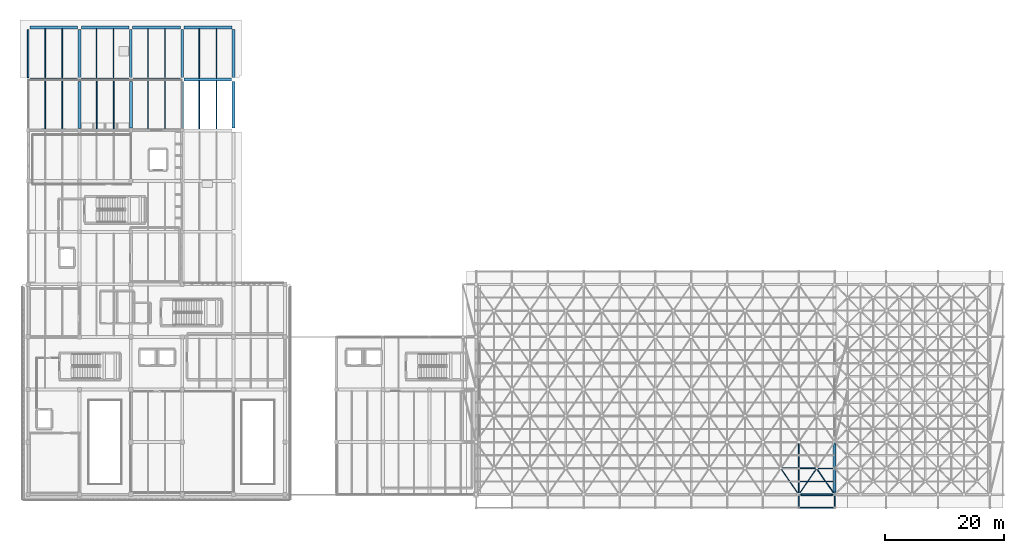
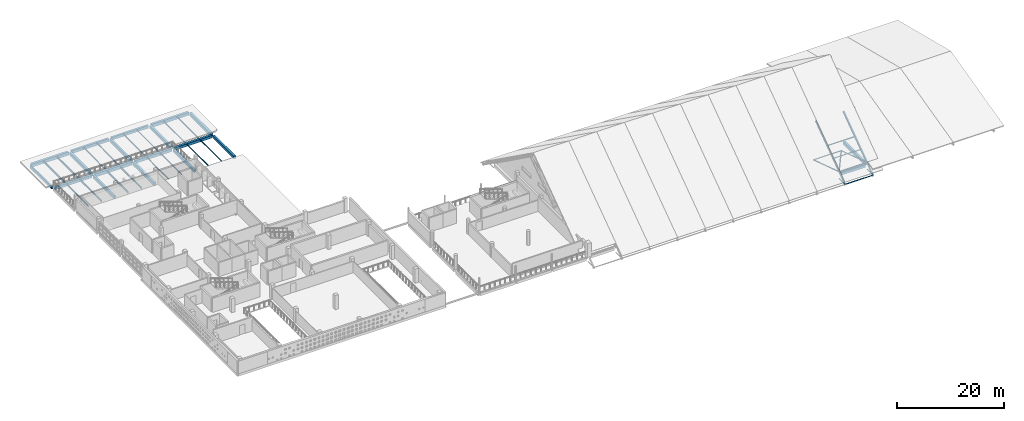
# One storey, part 24 of 55: 35 beams, 14 members.
"""IFC4 building model written with IfcOpenShell, lengths in metres."""

from ifc_helpers import new_model, si_unit, direction, frame, origin, origin_2d, place, context, subcontext, project, spatial, rectangle, hollow_rectangle, hollow_circle, i_section, extrude, material, material_profile, profile_set, type_object, element, save


model = new_model("IFC4")

# Units and contexts
model_context = context("Model", 3, precision=1e-05, world=origin(), true_north=direction((0.0, 1.0)))
body_context = subcontext(model_context, "Body", "Model", "MODEL_VIEW")
ifc_project = project(units=[si_unit("LENGTHUNIT", "METRE"), si_unit("AREAUNIT", "SQUARE_METRE"), si_unit("VOLUMEUNIT", "CUBIC_METRE"), si_unit("PLANEANGLEUNIT", "RADIAN"), si_unit("MASSUNIT", "GRAM", prefix="KILO")], contexts=[model_context])

# Site, building, storey
site_placement = place(None, origin())
site = spatial("IfcSite", under=ifc_project, at=site_placement, CompositionType="ELEMENT")
building_placement = place(site_placement, origin())
building = spatial("IfcBuilding", under=site, at=building_placement, Name="Varnakota Cinema and Media Centre", CompositionType="ELEMENT")
storey_placement = place(building_placement, frame((0.0, 0.0, 15.60009765625)))
storey = spatial("IfcBuildingStorey", under=building, at=storey_placement, Name="L04", CompositionType="ELEMENT", Elevation=15.60009765625)

# Beams
ifc_material_1 = material(Name="Concrete M35", Category="concrete")
ifc_material_profile_1 = material_profile(ifc_material_1, rectangle(XDim=0.449951171875, YDim=0.60009765625, at=origin_2d()), Name="RCB 450x600")
ifc_profile_set_1 = profile_set([ifc_material_profile_1], Name="Concrete M35")
beam_type_1 = type_object("IfcBeamType", Name="BM-RC-450x600", PredefinedType="BEAM", material=ifc_profile_set_1)
beam_1_placement = place(storey_placement, frame((0.324951171875, 69.5, -0.550048828125), z_axis=(1.0, 0.0, 0.0), x_axis=(0.0, 1.0, 0.0)))
element("IfcBeam", 1, at=beam_1_placement, inside=storey, type_object=beam_type_1, Name="L04 girder A-B/9", PredefinedType="BEAM", context=body_context, shape_type="SweptSolid", body=[
    extrude(rectangle(XDim=0.449951171875, YDim=0.60009765625, at=origin_2d()), origin(), (0.0, 0.0, 1.0), 7.97509765625),
])
beam_2_placement = place(storey_placement, frame((26.10009765625, 69.5, -0.550048828125), z_axis=(1.0, 0.0, 0.0), x_axis=(0.0, 1.0, 0.0)))
element("IfcBeam", 2, at=beam_2_placement, inside=storey, type_object=beam_type_1, Name="L04 girder D-E/9", PredefinedType="BEAM", context=body_context, shape_type="SweptSolid", body=[
    extrude(rectangle(XDim=0.449951171875, YDim=0.60009765625, at=origin_2d()), origin(), (0.0, 0.0, 1.0), 7.974853515625),
])
beam_3_placement = place(storey_placement, frame((17.5, 78.199951171875, -0.550048828125), z_axis=(1.0, 0.0, 0.0), x_axis=(0.0, 1.0, 0.0)))
element("IfcBeam", 3, at=beam_3_placement, inside=storey, type_object=beam_type_1, Name="L04 girder C-D/10", PredefinedType="BEAM", context=body_context, shape_type="SweptSolid", body=[
    extrude(rectangle(XDim=0.449951171875, YDim=0.60009765625, at=origin_2d()), origin(), (0.0, 0.0, 1.0), 7.97509765625),
])
beam_4_placement = place(storey_placement, frame((8.60009765625, 61.324951171875, -0.550048828125), z_axis=(0.0, 1.0, 0.0), x_axis=(-1.0, 0.0, 0.0)))
element("IfcBeam", 4, at=beam_4_placement, inside=storey, type_object=beam_type_1, Name="L04 girder B/8-9", PredefinedType="BEAM", context=body_context, shape_type="SweptSolid", body=[
    extrude(rectangle(XDim=0.449951171875, YDim=0.60009765625, at=origin_2d()), origin(), (0.0, 0.0, 1.0), 7.824951171875),
])
beam_5_placement = place(storey_placement, frame((25.800048828125, 69.85009765625, -0.550048828125), z_axis=(0.0, 1.0, 0.0), x_axis=(-1.0, 0.0, 0.0)))
element("IfcBeam", 5, at=beam_5_placement, inside=storey, type_object=beam_type_1, Name="L04 girder D/9-10", PredefinedType="BEAM", context=body_context, shape_type="SweptSolid", body=[
    extrude(rectangle(XDim=0.449951171875, YDim=0.60009765625, at=origin_2d()), origin(), (0.0, 0.0, 1.0), 8.02490234375),
])
beam_6_placement = place(storey_placement, frame((34.39990234375, 61.35009765625, -0.550048828125), z_axis=(0.0, 1.0, 0.0), x_axis=(-1.0, 0.0, 0.0)))
element("IfcBeam", 6, at=beam_6_placement, inside=storey, type_object=beam_type_1, Name="L04 girder E/8-9", PredefinedType="BEAM", context=body_context, shape_type="SweptSolid", body=[
    extrude(rectangle(XDim=0.449951171875, YDim=0.60009765625, at=origin_2d()), origin(), (0.0, 0.0, 1.0), 7.824951171875),
])
ifc_material_2 = material(Name="Concrete M35", Category="concrete")
ifc_material_profile_2 = material_profile(ifc_material_2, rectangle(XDim=0.449951171875, YDim=0.64990234375, at=origin_2d()), Name="RCB 450x650")
ifc_profile_set_2 = profile_set([ifc_material_profile_2], Name="Concrete M35")
beam_type_2 = type_object("IfcBeamType", Name="BM-RC-450x650", PredefinedType="BEAM", material=ifc_profile_set_2)
beam_7_placement = place(storey_placement, frame((17.52490234375, 69.5, -0.5751953125), z_axis=(1.0, 0.0, 0.0), x_axis=(0.0, 1.0, 0.0)))
element("IfcBeam", 7, at=beam_7_placement, inside=storey, type_object=beam_type_2, Name="L04 girder C-D/9", PredefinedType="BEAM", context=body_context, shape_type="SweptSolid", body=[
    extrude(rectangle(XDim=0.449951171875, YDim=0.64990234375, at=origin_2d()), origin(), (0.0, 0.0, 1.0), 7.97509765625),
])
beam_8_placement = place(storey_placement, frame((8.925048828125, 78.199951171875, -0.5751953125), z_axis=(1.0, 0.0, 0.0), x_axis=(0.0, 1.0, 0.0)))
element("IfcBeam", 8, at=beam_8_placement, inside=storey, type_object=beam_type_2, Name="L04 girder B-C/10", PredefinedType="BEAM", context=body_context, shape_type="SweptSolid", body=[
    extrude(rectangle(XDim=0.449951171875, YDim=0.64990234375, at=origin_2d()), origin(), (0.0, 0.0, 1.0), 7.974853515625),
])
beam_9_placement = place(storey_placement, frame((17.199951171875, 69.824951171875, -0.5751953125), z_axis=(0.0, 1.0, 0.0), x_axis=(-1.0, 0.0, 0.0)))
element("IfcBeam", 9, at=beam_9_placement, inside=storey, type_object=beam_type_2, Name="L04 girder C/9-10", PredefinedType="BEAM", context=body_context, shape_type="SweptSolid", body=[
    extrude(rectangle(XDim=0.449951171875, YDim=0.64990234375, at=origin_2d()), origin(), (0.0, 0.0, 1.0), 8.025146484375),
])
beam_10_placement = place(storey_placement, frame((25.800048828125, 61.324951171875, -0.5751953125), z_axis=(0.0, 1.0, 0.0), x_axis=(-1.0, 0.0, 0.0)))
element("IfcBeam", 10, at=beam_10_placement, inside=storey, type_object=beam_type_2, Name="L04 girder D/8-9", PredefinedType="BEAM", context=body_context, shape_type="SweptSolid", body=[
    extrude(rectangle(XDim=0.449951171875, YDim=0.64990234375, at=origin_2d()), origin(), (0.0, 0.0, 1.0), 7.824951171875),
])
beam_11_placement = place(storey_placement, frame((135.0, 0.47509765625, -0.3251953125), z_axis=(0.0, 1.0, 0.0), x_axis=(-1.0, 0.0, 0.0)))
element("IfcBeam", 11, at=beam_11_placement, inside=storey, type_object=beam_type_2, Name="L04 girder V/1-2", PredefinedType="BEAM", context=body_context, shape_type="SweptSolid", body=[
    extrude(rectangle(XDim=0.449951171875, YDim=0.64990234375, at=origin_2d()), origin(), (0.0, 0.0, 1.0), 8.0),
])
ifc_material_3 = material(Name="Concrete M35", Category="concrete")
ifc_material_profile_3 = material_profile(ifc_material_3, rectangle(XDim=0.5, YDim=0.699951171875, at=origin_2d()), Name="RCB 500x700")
ifc_profile_set_3 = profile_set([ifc_material_profile_3], Name="Concrete M35")
beam_type_3 = type_object("IfcBeamType", Name="BM-RC-500x700", PredefinedType="BEAM", material=ifc_profile_set_3)
beam_12_placement = place(storey_placement, frame((8.89990234375, 69.5, -0.60009765625), z_axis=(1.0, 0.0, 0.0), x_axis=(0.0, 1.0, 0.0)))
element("IfcBeam", 12, at=beam_12_placement, inside=storey, type_object=beam_type_3, Name="L04 girder B-C/9", PredefinedType="BEAM", context=body_context, shape_type="SweptSolid", body=[
    extrude(rectangle(XDim=0.5, YDim=0.699951171875, at=origin_2d()), origin(), (0.0, 0.0, 1.0), 7.97509765625),
])
beam_13_placement = place(storey_placement, frame((0.300048828125, 78.199951171875, -0.60009765625), z_axis=(1.0, 0.0, 0.0), x_axis=(0.0, 1.0, 0.0)))
element("IfcBeam", 13, at=beam_13_placement, inside=storey, type_object=beam_type_3, Name="L04 girder A-B/10", PredefinedType="BEAM", context=body_context, shape_type="SweptSolid", body=[
    extrude(rectangle(XDim=0.5, YDim=0.699951171875, at=origin_2d()), origin(), (0.0, 0.0, 1.0), 7.974853515625),
])
beam_14_placement = place(storey_placement, frame((26.125, 78.199951171875, -0.60009765625), z_axis=(1.0, 0.0, 0.0), x_axis=(0.0, 1.0, 0.0)))
element("IfcBeam", 14, at=beam_14_placement, inside=storey, type_object=beam_type_3, Name="L04 girder D-E/10", PredefinedType="BEAM", context=body_context, shape_type="SweptSolid", body=[
    extrude(rectangle(XDim=0.5, YDim=0.699951171875, at=origin_2d()), origin(), (0.0, 0.0, 1.0), 7.97509765625),
])
beam_15_placement = place(storey_placement, frame((8.60009765625, 69.85009765625, -0.60009765625), z_axis=(0.0, 1.0, 0.0), x_axis=(-1.0, 0.0, 0.0)))
element("IfcBeam", 15, at=beam_15_placement, inside=storey, type_object=beam_type_3, Name="L04 girder B/9-10", PredefinedType="BEAM", context=body_context, shape_type="SweptSolid", body=[
    extrude(rectangle(XDim=0.5, YDim=0.699951171875, at=origin_2d()), origin(), (0.0, 0.0, 1.0), 8.02490234375),
])
beam_16_placement = place(storey_placement, frame((17.199951171875, 61.35009765625, -0.60009765625), z_axis=(0.0, 1.0, 0.0), x_axis=(-1.0, 0.0, 0.0)))
element("IfcBeam", 16, at=beam_16_placement, inside=storey, type_object=beam_type_3, Name="L04 girder C/8-9", PredefinedType="BEAM", context=body_context, shape_type="SweptSolid", body=[
    extrude(rectangle(XDim=0.5, YDim=0.699951171875, at=origin_2d()), origin(), (0.0, 0.0, 1.0), 7.824951171875),
])
beam_17_placement = place(storey_placement, frame((34.39990234375, 69.824951171875, -0.60009765625), z_axis=(0.0, 1.0, 0.0), x_axis=(-1.0, 0.0, 0.0)))
element("IfcBeam", 17, at=beam_17_placement, inside=storey, type_object=beam_type_3, Name="L04 girder E/9-10", PredefinedType="BEAM", context=body_context, shape_type="SweptSolid", body=[
    extrude(rectangle(XDim=0.5, YDim=0.699951171875, at=origin_2d()), origin(), (0.0, 0.0, 1.0), 8.025146484375),
])
ifc_material_4 = material(Name="Concrete M35", Category="concrete")
ifc_material_profile_4 = material_profile(ifc_material_4, rectangle(XDim=0.300048828125, YDim=0.60009765625, at=origin_2d()), Name="RCB 300x600")
ifc_profile_set_4 = profile_set([ifc_material_profile_4], Name="Concrete M35")
beam_type_4 = type_object("IfcBeamType", Name="BM-SP-300x600", PredefinedType="SPANDREL", material=ifc_profile_set_4)
beam_18_placement = place(storey_placement, frame((129.425048828125, 0.0, -0.300048828125), z_axis=(1.0, 0.0, 0.0), x_axis=(0.0, 1.0, 0.0)))
element("IfcBeam", 18, at=beam_18_placement, inside=storey, type_object=beam_type_4, Name="L04 girder U-V/1", PredefinedType="SPANDREL", context=body_context, shape_type="SweptSolid", body=[
    extrude(rectangle(XDim=0.300048828125, YDim=0.60009765625, at=origin_2d()), origin(), (0.0, 0.0, 1.0), 5.14990234375),
])
beam_19_placement = place(storey_placement, frame((0.0, 69.824951171875, -0.550048828125), z_axis=(0.0, 1.0, 0.0), x_axis=(-1.0, 0.0, 0.0)))
element("IfcBeam", 19, at=beam_19_placement, inside=storey, type_object=beam_type_4, Name="L04 girder A/9-10", PredefinedType="SPANDREL", context=body_context, shape_type="SweptSolid", body=[
    extrude(rectangle(XDim=0.300048828125, YDim=0.60009765625, at=origin_2d()), origin(), (0.0, 0.0, 1.0), 8.025146484375),
])
ifc_material_5 = material(Name="Structural steel Grade 350 (E350)", Category="steel")
ifc_material_profile_5 = material_profile(ifc_material_5, i_section(OverallWidth=0.10009765625, OverallDepth=0.199951171875, WebThickness=0.005615234375, FlangeThickness=0.0107421875, FilletRadius=0.010986328125, at=origin_2d()), Name="ISMB 200")
ifc_profile_set_5 = profile_set([ifc_material_profile_5], Name="Structural steel Grade 350 (E350)")
beam_type_5 = type_object("IfcBeamType", Name="BM-ST-ISMB200", PredefinedType="JOIST", material=ifc_profile_set_5)
for number, where, z_axis, x_axis, name in (
    (20, (11.466796875, 69.75, -0.35009765625), (0.0, 1.0, 0.0), (-1.0, 0.0, 0.0), "L04 steel joist B-C/9-10 #1"),
    (21, (14.333251953125, 69.75, -0.35009765625), (0.0, 1.0, 0.0), (-1.0, 0.0, 0.0), "L04 steel joist B-C/9-10 #2"),
):
    element("IfcBeam", number, at=place(storey_placement, frame(where, z_axis=z_axis, x_axis=x_axis)), inside=storey, type_object=beam_type_5, Name=name, PredefinedType="JOIST", context=body_context, shape_type="SweptSolid", body=[
        extrude(i_section(OverallWidth=0.10009765625, OverallDepth=0.199951171875, WebThickness=0.005615234375, FlangeThickness=0.0107421875, FilletRadius=0.010986328125, at=origin_2d()), origin(), (0.0, 0.0, 1.0), 8.22509765625),
    ])
for number, where, z_axis, x_axis, name in (
    (22, (20.066650390625, 61.25, -0.35009765625), (0.0, 1.0, 0.0), (-1.0, 0.0, 0.0), "L04 steel joist C-D/8-9 #1"),
    (23, (22.933349609375, 61.25, -0.35009765625), (0.0, 1.0, 0.0), (-1.0, 0.0, 0.0), "L04 steel joist C-D/8-9 #2"),
):
    element("IfcBeam", number, at=place(storey_placement, frame(where, z_axis=z_axis, x_axis=x_axis)), inside=storey, type_object=beam_type_5, Name=name, PredefinedType="JOIST", context=body_context, shape_type="SweptSolid", body=[
        extrude(i_section(OverallWidth=0.10009765625, OverallDepth=0.199951171875, WebThickness=0.005615234375, FlangeThickness=0.0107421875, FilletRadius=0.010986328125, at=origin_2d()), origin(), (0.0, 0.0, 1.0), 8.02490234375),
    ])
ifc_material_6 = material(Name="Structural steel Grade 350 (E350)", Category="steel")
ifc_material_profile_6 = material_profile(ifc_material_6, i_section(OverallWidth=0.110107421875, OverallDepth=0.22509765625, WebThickness=0.006591796875, FlangeThickness=0.01171875, FilletRadius=0.011962890625, at=origin_2d()), Name="ISMB 225")
ifc_profile_set_6 = profile_set([ifc_material_profile_6], Name="Structural steel Grade 350 (E350)")
beam_type_6 = type_object("IfcBeamType", Name="BM-ST-ISMB225", PredefinedType="JOIST", material=ifc_profile_set_6)
for number, where, z_axis, x_axis, name in (
    (24, (20.066650390625, 69.72509765625, -0.362548828125), (0.0, 1.0, 0.0), (-1.0, 0.0, 0.0), "L04 steel joist C-D/9-10 #1"),
    (25, (22.933349609375, 69.72509765625, -0.362548828125), (0.0, 1.0, 0.0), (-1.0, 0.0, 0.0), "L04 steel joist C-D/9-10 #2"),
):
    element("IfcBeam", number, at=place(storey_placement, frame(where, z_axis=z_axis, x_axis=x_axis)), inside=storey, type_object=beam_type_6, Name=name, PredefinedType="JOIST", context=body_context, shape_type="SweptSolid", body=[
        extrude(i_section(OverallWidth=0.110107421875, OverallDepth=0.22509765625, WebThickness=0.006591796875, FlangeThickness=0.01171875, FilletRadius=0.011962890625, at=origin_2d()), origin(), (0.0, 0.0, 1.0), 8.25),
    ])
for number, where, z_axis, x_axis, name in (
    (26, (28.666748046875, 61.22509765625, -0.362548828125), (0.0, 1.0, 0.0), (-1.0, 0.0, 0.0), "L04 steel joist D-E/8-9 #1"),
    (27, (31.533203125, 61.22509765625, -0.362548828125), (0.0, 1.0, 0.0), (-1.0, 0.0, 0.0), "L04 steel joist D-E/8-9 #2"),
):
    element("IfcBeam", number, at=place(storey_placement, frame(where, z_axis=z_axis, x_axis=x_axis)), inside=storey, type_object=beam_type_6, Name=name, PredefinedType="JOIST", context=body_context, shape_type="SweptSolid", body=[
        extrude(i_section(OverallWidth=0.110107421875, OverallDepth=0.22509765625, WebThickness=0.006591796875, FlangeThickness=0.01171875, FilletRadius=0.011962890625, at=origin_2d()), origin(), (0.0, 0.0, 1.0), 8.0498046875),
    ])
ifc_material_7 = material(Name="Structural steel Grade 350 (E350)", Category="steel")
ifc_material_profile_7 = material_profile(ifc_material_7, i_section(OverallWidth=0.125, OverallDepth=0.25, WebThickness=0.0068359375, FlangeThickness=0.012451171875, FilletRadius=0.012939453125, at=origin_2d()), Name="ISMB 250")
ifc_profile_set_7 = profile_set([ifc_material_profile_7], Name="Structural steel Grade 350 (E350)")
beam_type_7 = type_object("IfcBeamType", Name="BM-ST-ISMB250", PredefinedType="JOIST", material=ifc_profile_set_7)
for number, where, z_axis, x_axis, name in (
    (28, (28.666748046875, 69.72509765625, -0.375), (0.0, 1.0, 0.0), (-1.0, 0.0, 0.0), "L04 steel joist D-E/9-10 #1"),
    (29, (31.533203125, 69.72509765625, -0.375), (0.0, 1.0, 0.0), (-1.0, 0.0, 0.0), "L04 steel joist D-E/9-10 #2"),
):
    element("IfcBeam", number, at=place(storey_placement, frame(where, z_axis=z_axis, x_axis=x_axis)), inside=storey, type_object=beam_type_7, Name=name, PredefinedType="JOIST", context=body_context, shape_type="SweptSolid", body=[
        extrude(i_section(OverallWidth=0.125, OverallDepth=0.25, WebThickness=0.0068359375, FlangeThickness=0.012451171875, FilletRadius=0.012939453125, at=origin_2d()), origin(), (0.0, 0.0, 1.0), 8.224853515625),
    ])
ifc_material_8 = material(Name="Structural steel Grade 350 (E350)", Category="steel")
ifc_material_profile_8 = material_profile(ifc_material_8, i_section(OverallWidth=0.139892578125, OverallDepth=0.39990234375, WebThickness=0.0087890625, FlangeThickness=0.01611328125, FilletRadius=0.013916015625, at=origin_2d()), Name="ISMB 400")
ifc_profile_set_8 = profile_set([ifc_material_profile_8], Name="Structural steel Grade 350 (E350)")
beam_type_8 = type_object("IfcBeamType", Name="BM-ST-ISMB400", PredefinedType="JOIST", material=ifc_profile_set_8)
for number, where, z_axis, x_axis, name in (
    (30, (2.86669921875, 61.22509765625, -0.4501953125), (0.0, 1.0, 0.0), (-1.0, 0.0, 0.0), "L04 steel joist A-B/8-9 #1"),
    (31, (5.7333984375, 61.22509765625, -0.4501953125), (0.0, 1.0, 0.0), (-1.0, 0.0, 0.0), "L04 steel joist A-B/8-9 #2"),
):
    element("IfcBeam", number, at=place(storey_placement, frame(where, z_axis=z_axis, x_axis=x_axis)), inside=storey, type_object=beam_type_8, Name=name, PredefinedType="JOIST", context=body_context, shape_type="SweptSolid", body=[
        extrude(i_section(OverallWidth=0.139892578125, OverallDepth=0.39990234375, WebThickness=0.0087890625, FlangeThickness=0.01611328125, FilletRadius=0.013916015625, at=origin_2d()), origin(), (0.0, 0.0, 1.0), 8.0498046875),
    ])
ifc_material_9 = material(Name="Structural steel Grade 350 (E350)", Category="steel")
ifc_material_profile_9 = material_profile(ifc_material_9, i_section(OverallWidth=0.14990234375, OverallDepth=0.449951171875, WebThickness=0.009521484375, FlangeThickness=0.017333984375, FilletRadius=0.014892578125, at=origin_2d()), Name="ISMB 450")
ifc_profile_set_9 = profile_set([ifc_material_profile_9], Name="Structural steel Grade 350 (E350)")
beam_type_9 = type_object("IfcBeamType", Name="BM-ST-ISMB450", PredefinedType="BEAM", material=ifc_profile_set_9)
for number, where, z_axis, x_axis, name in (
    (32, (2.86669921875, 69.72509765625, -0.47509765625), (0.0, 1.0, 0.0), (-1.0, 0.0, 0.0), "L04 steel joist A-B/9-10 #1"),
    (33, (5.7333984375, 69.72509765625, -0.47509765625), (0.0, 1.0, 0.0), (-1.0, 0.0, 0.0), "L04 steel joist A-B/9-10 #2"),
):
    element("IfcBeam", number, at=place(storey_placement, frame(where, z_axis=z_axis, x_axis=x_axis)), inside=storey, type_object=beam_type_9, Name=name, PredefinedType="BEAM", context=body_context, shape_type="SweptSolid", body=[
        extrude(i_section(OverallWidth=0.14990234375, OverallDepth=0.449951171875, WebThickness=0.009521484375, FlangeThickness=0.017333984375, FilletRadius=0.014892578125, at=origin_2d()), origin(), (0.0, 0.0, 1.0), 8.224853515625),
    ])
for number, where, z_axis, x_axis, name in (
    (34, (11.466796875, 61.22509765625, -0.47509765625), (0.0, 1.0, 0.0), (-1.0, 0.0, 0.0), "L04 steel joist B-C/8-9 #1"),
    (35, (14.333251953125, 61.22509765625, -0.47509765625), (0.0, 1.0, 0.0), (-1.0, 0.0, 0.0), "L04 steel joist B-C/8-9 #2"),
):
    element("IfcBeam", number, at=place(storey_placement, frame(where, z_axis=z_axis, x_axis=x_axis)), inside=storey, type_object=beam_type_9, Name=name, PredefinedType="BEAM", context=body_context, shape_type="SweptSolid", body=[
        extrude(i_section(OverallWidth=0.14990234375, OverallDepth=0.449951171875, WebThickness=0.009521484375, FlangeThickness=0.017333984375, FilletRadius=0.014892578125, at=origin_2d()), origin(), (0.0, 0.0, 1.0), 8.02490234375),
    ])

# Members
ifc_material_10 = material(Name="Structural steel S355 (YSt 355)", Category="steel")
ifc_material_profile_10 = material_profile(ifc_material_10, hollow_circle(Radius=0.06982421875, WallThickness=0.006103515625, at=origin_2d()), Name="CHS 139.7x6.0")
ifc_profile_set_10 = profile_set([ifc_material_profile_10], Name="Structural steel S355 (YSt 355)")
member_type_1 = type_object("IfcMemberType", Name="MEM-ST-CHS139_7x6_0", PredefinedType="CHORD", material=ifc_profile_set_10)
member_1_placement = place(storey_placement, frame((132.0, 4.39990234375, 1.349853515625), z_axis=(0.552703271274, -0.810613472892, -0.193455140767), x_axis=(0.826221523208, 0.563345359959, 0.0)))
element("IfcMember", 36, at=member_1_placement, inside=storey, type_object=member_type_1, Name="V1 space-frame diagonal 10.1.2", PredefinedType="CHORD", context=body_context, shape_type="SweptSolid", body=[
    extrude(hollow_circle(Radius=0.06982421875, WallThickness=0.006103515625, at=origin_2d()), origin(), (0.0, 0.0, 1.0), 5.427978515625),
])
ifc_material_11 = material(Name="Structural steel S355 (YSt 355)", Category="steel")
ifc_material_profile_11 = material_profile(ifc_material_11, hollow_circle(Radius=0.084228515625, WallThickness=0.00634765625, at=origin_2d()), Name="CHS 168.3x6.3")
ifc_profile_set_11 = profile_set([ifc_material_profile_11], Name="Structural steel S355 (YSt 355)")
member_type_2 = type_object("IfcMemberType", Name="MEM-ST-CHS168_3x6_3", PredefinedType="BRACE", material=ifc_profile_set_11)
for number, where, z_axis, x_axis, name in (
    (37, (126.0, 4.39990234375, 1.349853515625), (0.552703271274, -0.810613472892, -0.193455140767), (0.826221523208, 0.563345359959, 0.0), "V1 space-frame diagonal 9.1.2"),
    (38, (132.0, 4.39990234375, 1.349853515625), (-0.552703271274, -0.810613472892, -0.193455140767), (0.826221523208, -0.563345359959, 0.0), "V1 space-frame diagonal 10.1.1"),
):
    element("IfcMember", number, at=place(storey_placement, frame(where, z_axis=z_axis, x_axis=x_axis)), inside=storey, type_object=member_type_2, Name=name, PredefinedType="BRACE", context=body_context, shape_type="SweptSolid", body=[
        extrude(hollow_circle(Radius=0.084228515625, WallThickness=0.00634765625, at=origin_2d()), origin(), (0.0, 0.0, 1.0), 5.427978515625),
    ])
ifc_material_12 = material(Name="Structural steel S355 (YSt 355)", Category="steel")
ifc_material_profile_12 = material_profile(ifc_material_12, hollow_circle(Radius=0.096923828125, WallThickness=0.00634765625, at=origin_2d()), Name="CHS 193.7x6.3")
ifc_profile_set_12 = profile_set([ifc_material_profile_12], Name="Structural steel S355 (YSt 355)")
member_type_3 = type_object("IfcMemberType", Name="MEM-ST-CHS193_7x6_3", PredefinedType="CHORD", material=ifc_profile_set_12)
for number, where, z_axis, x_axis, name in (
    (39, (129.0, 0.0, -1.25), (0.0, -0.999934678535, -0.01142972721), (1.0, 0.0, 0.0), "V1 space-frame S eave raking strut 10"),
    (40, (135.0, 0.0, -1.25), (0.0, -0.999934678535, -0.01142972721), (1.0, 0.0, 0.0), "V1 space-frame S eave raking strut 11"),
):
    element("IfcMember", number, at=place(storey_placement, frame(where, z_axis=z_axis, x_axis=x_axis)), inside=storey, type_object=member_type_3, Name=name, PredefinedType="CHORD", context=body_context, shape_type="SweptSolid", body=[
        extrude(hollow_circle(Radius=0.096923828125, WallThickness=0.00634765625, at=origin_2d()), origin(), (0.0, 0.0, 1.0), 2.2001953125),
    ])
ifc_material_13 = material(Name="Structural steel S355 (YSt 355)", Category="steel")
ifc_material_profile_13 = material_profile(ifc_material_13, hollow_circle(Radius=0.109619140625, WallThickness=0.008056640625, at=origin_2d()), Name="CHS 219.1x8.0")
ifc_profile_set_13 = profile_set([ifc_material_profile_13], Name="Structural steel S355 (YSt 355)")
member_type_4 = type_object("IfcMemberType", Name="MEM-ST-CHS219_1x8_0", PredefinedType="BRACE", material=ifc_profile_set_13)
for number, where, z_axis, x_axis, name in (
    (41, (126.0, 4.39990234375, 1.349853515625), (1.0, 0.0, 0.0), (0.0, 1.0, 0.0), "V1 bottom longitudinal chord 9.1"),
    (42, (129.0, -2.199951171875, -1.275146484375), (1.0, 0.0, 0.0), (0.0, 1.0, 0.0), "V1 S eave fascia chord 10"),
):
    element("IfcMember", number, at=place(storey_placement, frame(where, z_axis=z_axis, x_axis=x_axis)), inside=storey, type_object=member_type_4, Name=name, PredefinedType="BRACE", context=body_context, shape_type="SweptSolid", body=[
        extrude(hollow_circle(Radius=0.109619140625, WallThickness=0.008056640625, at=origin_2d()), origin(), (0.0, 0.0, 1.0), 6.0),
    ])
ifc_material_14 = material(Name="Structural steel S355 (YSt 355)", Category="steel")
ifc_material_profile_14 = material_profile(ifc_material_14, hollow_circle(Radius=0.136474609375, WallThickness=0.010009765625, at=origin_2d()), Name="CHS 273.0x10.0")
ifc_profile_set_14 = profile_set([ifc_material_profile_14], Name="Structural steel S355 (YSt 355)")
member_type_5 = type_object("IfcMemberType", Name="MEM-ST-CHS273_0x10_0", PredefinedType="BRACE", material=ifc_profile_set_14)
member_2_placement = place(storey_placement, frame((129.0, 0.0, 0.2998046875), z_axis=(1.0, 0.0, 0.0), x_axis=(0.0, 1.0, 0.0)))
element("IfcMember", 43, at=member_2_placement, inside=storey, type_object=member_type_5, Name="V1 top longitudinal chord 10.1", PredefinedType="BRACE", context=body_context, shape_type="SweptSolid", body=[
    extrude(hollow_circle(Radius=0.136474609375, WallThickness=0.010009765625, at=origin_2d()), origin(), (0.0, 0.0, 1.0), 6.0),
])
ifc_material_15 = material(Name="Structural steel Grade 350 (E350)", Category="steel")
ifc_material_profile_15 = material_profile(ifc_material_15, i_section(OverallWidth=0.25, OverallDepth=0.25, WebThickness=0.0087890625, FlangeThickness=0.009765625, FilletRadius=0.010009765625, at=origin_2d()), Name="ISHB 250")
ifc_profile_set_15 = profile_set([ifc_material_profile_15], Name="Structural steel Grade 350 (E350)")
member_type_6 = type_object("IfcMemberType", Name="MEM-ST-ISHB250", PredefinedType="CHORD", material=ifc_profile_set_15)
for number, where, z_axis, x_axis, name in (
    (44, (129.0, 0.0, 0.2998046875), (0.0, -0.81311111287, -0.582108510612), (1.0, 0.0, 0.0), "V1 space-frame S eave overhang rafter 10"),
    (45, (135.0, 0.0, 0.2998046875), (0.0, -0.81311111287, -0.582108510612), (1.0, 0.0, 0.0), "V1 space-frame S eave overhang rafter 11"),
):
    element("IfcMember", number, at=place(storey_placement, frame(where, z_axis=z_axis, x_axis=x_axis)), inside=storey, type_object=member_type_6, Name=name, PredefinedType="CHORD", context=body_context, shape_type="SweptSolid", body=[
        extrude(i_section(OverallWidth=0.25, OverallDepth=0.25, WebThickness=0.0087890625, FlangeThickness=0.009765625, FilletRadius=0.010009765625, at=origin_2d()), origin(), (0.0, 0.0, 1.0), 2.70556640625),
    ])
ifc_material_16 = material(Name="Structural steel Grade 350 (E350)", Category="steel")
ifc_material_profile_16 = material_profile(ifc_material_16, i_section(OverallWidth=0.25, OverallDepth=0.39990234375, WebThickness=0.010498046875, FlangeThickness=0.0126953125, FilletRadius=0.011962890625, at=origin_2d()), Name="ISHB 400")
ifc_profile_set_16 = profile_set([ifc_material_profile_16], Name="Structural steel Grade 350 (E350)")
member_type_7 = type_object("IfcMemberType", Name="MEM-ST-ISHB400", PredefinedType="CHORD", material=ifc_profile_set_16)
member_3_placement = place(storey_placement, frame((135.0, 0.0, 0.2998046875), z_axis=(0.0, 0.813108079498, 0.582112747717), x_axis=(-1.0, 0.0, 0.0)))
element("IfcMember", 46, at=member_3_placement, inside=storey, type_object=member_type_7, Name="V1 top transverse chord 11.1", PredefinedType="CHORD", context=body_context, shape_type="SweptSolid", body=[
    extrude(i_section(OverallWidth=0.25, OverallDepth=0.39990234375, WebThickness=0.010498046875, FlangeThickness=0.0126953125, FilletRadius=0.011962890625, at=origin_2d()), origin(), (0.0, 0.0, 1.0), 10.82275390625),
])
ifc_material_17 = material(Name="Structural steel Grade 350 (E350)", Category="steel")
ifc_material_profile_17 = material_profile(ifc_material_17, i_section(OverallWidth=0.14990234375, OverallDepth=0.449951171875, WebThickness=0.009521484375, FlangeThickness=0.017333984375, FilletRadius=0.014892578125, at=origin_2d()), Name="ISMB 450")
ifc_profile_set_17 = profile_set([ifc_material_profile_17], Name="Structural steel Grade 350 (E350)")
member_type_8 = type_object("IfcMemberType", Name="MEM-ST-ISMB450", PredefinedType="RAFTER", material=ifc_profile_set_17)
member_4_placement = place(storey_placement, frame((129.0, 0.0, 0.2998046875), z_axis=(0.0, 0.813108079498, 0.582112747717), x_axis=(-1.0, 0.0, 0.0)))
element("IfcMember", 47, at=member_4_placement, inside=storey, type_object=member_type_8, Name="V1 top transverse chord 10.1", PredefinedType="RAFTER", context=body_context, shape_type="SweptSolid", body=[
    extrude(i_section(OverallWidth=0.14990234375, OverallDepth=0.449951171875, WebThickness=0.009521484375, FlangeThickness=0.017333984375, FilletRadius=0.014892578125, at=origin_2d()), origin(), (0.0, 0.0, 1.0), 10.82275390625),
])
ifc_material_18 = material(Name="Structural steel S355 (YSt 355)", Category="steel")
ifc_material_profile_18 = material_profile(ifc_material_18, hollow_rectangle(XDim=0.10009765625, YDim=0.14990234375, WallThickness=0.006103515625, InnerFilletRadius=0.006103515625, OuterFilletRadius=0.011962890625, at=origin_2d()), Name="RHS 150x100x6")
ifc_profile_set_18 = profile_set([ifc_material_profile_18], Name="Structural steel S355 (YSt 355)")
member_type_9 = type_object("IfcMemberType", Name="MEM-ST-RHS150x100x6", PredefinedType="PURLIN", material=ifc_profile_set_18)
member_5_placement = place(storey_placement, frame((129.0, 4.39990234375, 3.52978515625), z_axis=(1.0, 0.0, 0.0), x_axis=(0.0, 1.0, 0.0)))
element("IfcMember", 48, at=member_5_placement, inside=storey, type_object=member_type_9, Name="V1 roof purlin 2.10", PredefinedType="PURLIN", context=body_context, shape_type="SweptSolid", body=[
    extrude(hollow_rectangle(XDim=0.10009765625, YDim=0.14990234375, WallThickness=0.006103515625, InnerFilletRadius=0.006103515625, OuterFilletRadius=0.011962890625, at=origin_2d()), origin(), (0.0, 0.0, 1.0), 6.0),
])
ifc_material_19 = material(Name="Structural steel S355 (YSt 355)", Category="steel")
ifc_material_profile_19 = material_profile(ifc_material_19, hollow_rectangle(XDim=0.10009765625, YDim=0.199951171875, WallThickness=0.006103515625, InnerFilletRadius=0.006103515625, OuterFilletRadius=0.011962890625, at=origin_2d()), Name="RHS 200x100x6")
ifc_profile_set_19 = profile_set([ifc_material_profile_19], Name="Structural steel S355 (YSt 355)")
member_type_10 = type_object("IfcMemberType", Name="MEM-ST-RHS200x100x6", PredefinedType="PURLIN", material=ifc_profile_set_19)
member_6_placement = place(storey_placement, frame((129.0, 2.199951171875, 1.954833984375), z_axis=(1.0, 0.0, 0.0), x_axis=(0.0, 1.0, 0.0)))
element("IfcMember", 49, at=member_6_placement, inside=storey, type_object=member_type_10, Name="V1 roof purlin 1.10", PredefinedType="PURLIN", context=body_context, shape_type="SweptSolid", body=[
    extrude(hollow_rectangle(XDim=0.10009765625, YDim=0.199951171875, WallThickness=0.006103515625, InnerFilletRadius=0.006103515625, OuterFilletRadius=0.011962890625, at=origin_2d()), origin(), (0.0, 0.0, 1.0), 6.0),
])

save(model, "model.ifc")
